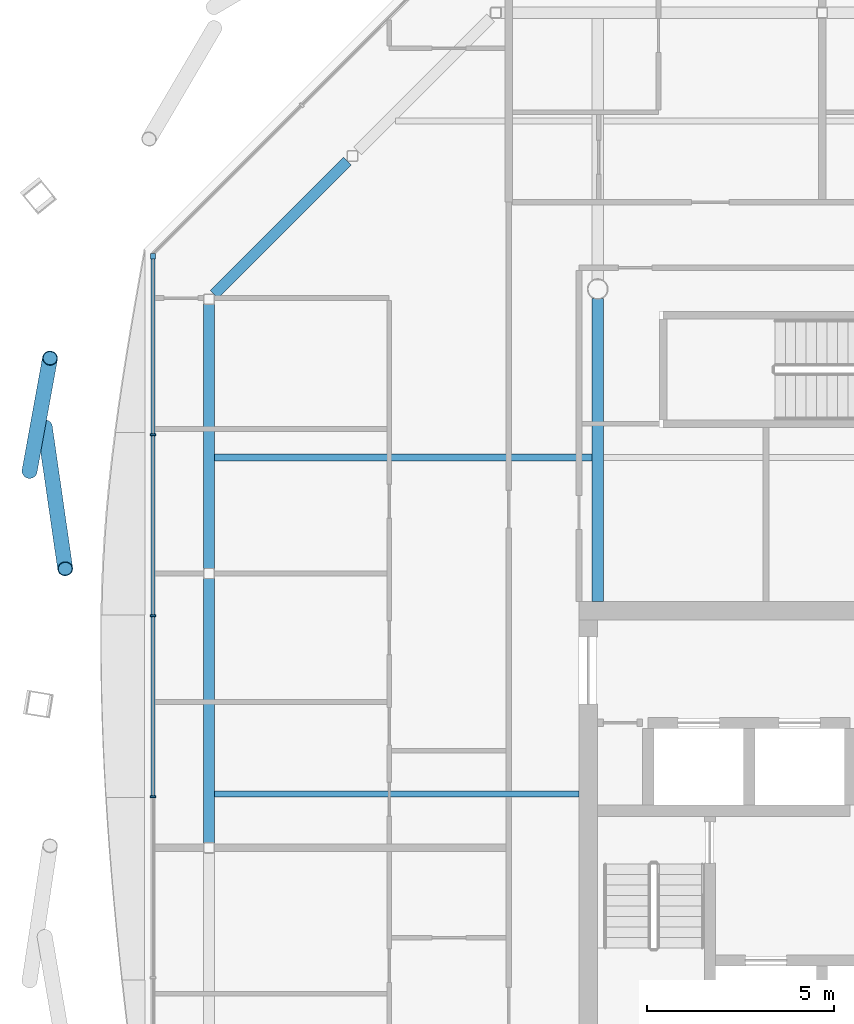
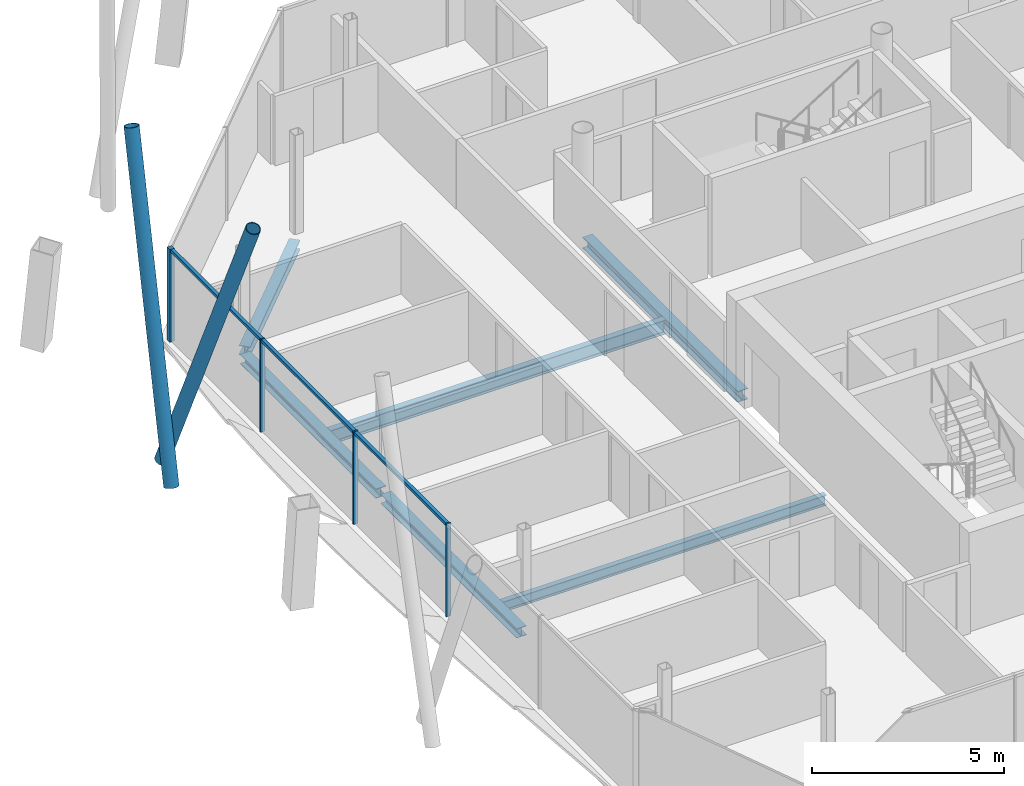
# One storey, part 6 of 17: 9 members, 6 beams, 1 element without a shape of its own.
"""IFC4 building model written with IfcOpenShell, lengths in metres."""

from ifc_helpers import new_model, si_unit, direction, frame, origin, origin_2d, place, context, subcontext, project, spatial, rectangle, hollow_circle, i_section, extrude, material, material_profile, profile_set, type_object, element, aggregate, save


model = new_model("IFC4")

# Units and contexts
model_context = context("Model", 3, precision=1e-05, world=origin(), true_north=direction((0.0, 1.0)))
body_context = subcontext(model_context, "Body", "Model", "MODEL_VIEW")
ifc_project = project(units=[si_unit("LENGTHUNIT", "METRE"), si_unit("AREAUNIT", "SQUARE_METRE"), si_unit("VOLUMEUNIT", "CUBIC_METRE"), si_unit("PLANEANGLEUNIT", "RADIAN"), si_unit("MASSUNIT", "GRAM", prefix="KILO")], contexts=[model_context])

# Site, building, storey
site_placement = place(None, origin())
site = spatial("IfcSite", under=ifc_project, at=site_placement, CompositionType="ELEMENT")
building_placement = place(site_placement, origin())
building = spatial("IfcBuilding", under=site, at=building_placement, Name="Tskaro Facet Tower", CompositionType="ELEMENT")
storey_placement = place(building_placement, frame((0.0, 0.0, 236.10009765625)))
storey = spatial("IfcBuildingStorey", under=building, at=storey_placement, Name="L61", CompositionType="ELEMENT", Elevation=236.10009765625)

# Members
ifc_material_1 = material(Name="Steel S355J2H", Category="steel")
ifc_material_profile_1 = material_profile(ifc_material_1, hollow_circle(Radius=0.203125, WallThickness=0.02001953125, at=origin_2d()), Name="CHS 406.4x20")
ifc_profile_set_1 = profile_set([ifc_material_profile_1], Name="Steel S355J2H")
member_type_1 = type_object("IfcMemberType", Name="CHS 406.4x20 brace", PredefinedType="BRACE", material=ifc_profile_set_1)
member_1_placement = place(storey_placement, frame((-23.785888671875, 5.3115234375, 0.0), z_axis=(0.053751501851, -0.371807159127, 0.926752508748), x_axis=(0.989711015465, 0.143080766934, 0.0)))
element("IfcMember", 1, at=member_1_placement, inside=storey, type_object=member_type_1, Name="CHS 406.4x20 XB10A/5", PredefinedType="BRACE", context=body_context, shape_type="SweptSolid", body=[
    extrude(hollow_circle(Radius=0.203125, WallThickness=0.02001953125, at=origin_2d()), origin(), (0.0, 0.0, 1.0), 10.19677734375),
])
member_2_placement = place(storey_placement, frame((-24.192138671875, 4.131591796875, 0.0), z_axis=(0.055134851788, 0.304150771071, 0.951027053545), x_axis=(-0.983963886004, 0.178367797091, 0.0)))
element("IfcMember", 2, at=member_2_placement, inside=storey, type_object=member_type_1, Name="CHS 406.4x20 XB10B/5", PredefinedType="BRACE", context=body_context, shape_type="SweptSolid", body=[
    extrude(hollow_circle(Radius=0.203125, WallThickness=0.02001953125, at=origin_2d()), origin(), (0.0, 0.0, 1.0), 9.9365234375),
])

# Curtain wall, members
ifc_material_2 = material(Name="Bronze anodised aluminium 6063-T6", Category="aluminium")
curtain_wall_type = type_object("IfcCurtainWallType", Name="Bronze residence curtain wall (FW3)", PredefinedType="NOTDEFINED", material=ifc_material_2)
curtain_wall_placement = place(storey_placement, origin())
curtain_wall = element("IfcCurtainWall", 3, at=curtain_wall_placement, inside=storey, type_object=curtain_wall_type, Name="FW3 west facet L61", PredefinedType="NOTDEFINED")
ifc_material_profile_2 = material_profile(ifc_material_2, rectangle(XDim=0.139892578125, YDim=0.139892578125, at=origin_2d()), Name="Corner post 140x140")
ifc_profile_set_2 = profile_set([ifc_material_profile_2], Name="Bronze anodised aluminium 6063-T6")
member_type_2 = type_object("IfcMemberType", Name="FW3 bronze corner post 140x140", PredefinedType="MULLION", material=ifc_profile_set_2)
member_3_placement = place(storey_placement, frame((-20.888916015625, 9.8779296875, 0.0), z_axis=(0.0, 0.0, 1.0), x_axis=(0.0, -1.0, 0.0)))
member_3 = element("IfcMember", 4, at=member_3_placement, type_object=member_type_2, Name="FW3 west corner post", PredefinedType="MULLION", context=body_context, shape_type="SweptSolid", body=[
    extrude(rectangle(XDim=0.139892578125, YDim=0.139892578125, at=origin_2d()), origin(), (0.0, 0.0, 1.0), 2.949951171875),
])
ifc_material_profile_3 = material_profile(ifc_material_2, rectangle(XDim=0.050048828125, YDim=0.139892578125, at=origin_2d()), Name="Mullion 50x140")
ifc_profile_set_3 = profile_set([ifc_material_profile_3], Name="Bronze anodised aluminium 6063-T6")
member_type_3 = type_object("IfcMemberType", Name="FW3 bronze mullion 50x140", PredefinedType="MULLION", material=ifc_profile_set_3)
member_4_placement = place(storey_placement, frame((-20.888916015625, 5.10791015625, 0.0), z_axis=(0.0, 0.0, 1.0), x_axis=(0.0, -1.0, 0.0)))
member_4 = element("IfcMember", 5, at=member_4_placement, type_object=member_type_3, Name="FW3 west mullion 1", PredefinedType="MULLION", context=body_context, shape_type="SweptSolid", body=[
    extrude(rectangle(XDim=0.050048828125, YDim=0.139892578125, at=origin_2d()), origin(), (0.0, 0.0, 1.0), 2.949951171875),
])
member_5_placement = place(storey_placement, frame((-20.888916015625, 0.267578125, 0.0), z_axis=(0.0, 0.0, 1.0), x_axis=(0.0, -1.0, 0.0)))
member_5 = element("IfcMember", 6, at=member_5_placement, type_object=member_type_3, Name="FW3 west mullion 2", PredefinedType="MULLION", context=body_context, shape_type="SweptSolid", body=[
    extrude(rectangle(XDim=0.050048828125, YDim=0.139892578125, at=origin_2d()), origin(), (0.0, 0.0, 1.0), 2.949951171875),
])
member_6_placement = place(storey_placement, frame((-20.888916015625, -4.572509765625, 0.0), z_axis=(0.0, 0.0, 1.0), x_axis=(0.0, -1.0, 0.0)))
member_6 = element("IfcMember", 7, at=member_6_placement, type_object=member_type_3, Name="FW3 west mullion 3", PredefinedType="MULLION", context=body_context, shape_type="SweptSolid", body=[
    extrude(rectangle(XDim=0.050048828125, YDim=0.139892578125, at=origin_2d()), origin(), (0.0, 0.0, 1.0), 2.949951171875),
])
ifc_material_profile_4 = material_profile(ifc_material_2, rectangle(XDim=0.10009765625, YDim=0.090087890625, at=origin_2d()), Name="Transom 100x90")
ifc_profile_set_4 = profile_set([ifc_material_profile_4], Name="Bronze anodised aluminium 6063-T6")
member_type_4 = type_object("IfcMemberType", Name="FW3 bronze transom 100x90", PredefinedType="USERDEFINED", material=ifc_profile_set_4)
member_7_placement = place(storey_placement, frame((-20.888916015625, 9.80810546875, 2.90478515625), z_axis=(0.0, -1.0, 0.0), x_axis=(1.0, 0.0, 0.0)))
member_7 = element("IfcMember", 8, at=member_7_placement, type_object=member_type_4, Name="FW3 west transom 1.1", ObjectType="TRANSOM", PredefinedType="USERDEFINED", context=body_context, shape_type="SweptSolid", body=[
    extrude(rectangle(XDim=0.10009765625, YDim=0.090087890625, at=origin_2d()), origin(), (0.0, 0.0, 1.0), 4.67529296875),
])
member_8_placement = place(storey_placement, frame((-20.888916015625, 5.082763671875, 2.90478515625), z_axis=(0.0, -1.0, 0.0), x_axis=(1.0, 0.0, 0.0)))
member_8 = element("IfcMember", 9, at=member_8_placement, type_object=member_type_4, Name="FW3 west transom 2.1", ObjectType="TRANSOM", PredefinedType="USERDEFINED", context=body_context, shape_type="SweptSolid", body=[
    extrude(rectangle(XDim=0.10009765625, YDim=0.090087890625, at=origin_2d()), origin(), (0.0, 0.0, 1.0), 4.790283203125),
])
member_9_placement = place(storey_placement, frame((-20.888916015625, 0.24267578125, 2.90478515625), z_axis=(0.0, -1.0, 0.0), x_axis=(1.0, 0.0, 0.0)))
member_9 = element("IfcMember", 10, at=member_9_placement, type_object=member_type_4, Name="FW3 west transom 3.1", ObjectType="TRANSOM", PredefinedType="USERDEFINED", context=body_context, shape_type="SweptSolid", body=[
    extrude(rectangle(XDim=0.10009765625, YDim=0.090087890625, at=origin_2d()), origin(), (0.0, 0.0, 1.0), 4.790283203125),
])
aggregate(curtain_wall, [member_3, member_4, member_5, member_6, member_7, member_8, member_9])

# Beams
ifc_material_3 = material(Name="Steel S355J2", Category="steel")
ifc_material_profile_5 = material_profile(ifc_material_3, i_section(OverallWidth=0.300048828125, OverallDepth=0.300048828125, WebThickness=0.010986328125, FlangeThickness=0.01904296875, FilletRadius=0.027099609375, at=origin_2d()), Name="HE 300 B")
ifc_profile_set_5 = profile_set([ifc_material_profile_5], Name="Steel S355J2")
beam_type_1 = type_object("IfcBeamType", Name="HE 300 B ring beam", PredefinedType="BEAM", material=ifc_profile_set_5)
beam_1_placement = place(storey_placement, frame((-15.69384765625, 12.422119140625, -0.2900390625), z_axis=(-0.707106781187, -0.707106781187, 0.0), x_axis=(0.707106781187, -0.707106781187, 0.0)))
element("IfcBeam", 11, at=beam_1_placement, inside=storey, type_object=beam_type_1, Name="HE 300 B EB13-5", PredefinedType="BEAM", context=body_context, shape_type="SweptSolid", body=[
    extrude(i_section(OverallWidth=0.300048828125, OverallDepth=0.300048828125, WebThickness=0.010986328125, FlangeThickness=0.01904296875, FilletRadius=0.027099609375, at=origin_2d()), origin(), (0.0, 0.0, 1.0), 5.036376953125),
])
beam_2_placement = place(storey_placement, frame((-19.39111328125, 8.594970703125, -0.2900390625), z_axis=(0.0, -1.0, 0.0), x_axis=(1.0, 0.0, 0.0)))
element("IfcBeam", 12, at=beam_2_placement, inside=storey, type_object=beam_type_1, Name="HE 300 B EB14-5", PredefinedType="BEAM", context=body_context, shape_type="SweptSolid", body=[
    extrude(i_section(OverallWidth=0.300048828125, OverallDepth=0.300048828125, WebThickness=0.010986328125, FlangeThickness=0.01904296875, FilletRadius=0.027099609375, at=origin_2d()), origin(), (0.0, 0.0, 1.0), 7.071044921875),
])
beam_3_placement = place(storey_placement, frame((-19.39111328125, 1.263916015625, -0.2900390625), z_axis=(0.0, -1.0, 0.0), x_axis=(1.0, 0.0, 0.0)))
element("IfcBeam", 13, at=beam_3_placement, inside=storey, type_object=beam_type_1, Name="HE 300 B EB15-5", PredefinedType="BEAM", context=body_context, shape_type="SweptSolid", body=[
    extrude(i_section(OverallWidth=0.300048828125, OverallDepth=0.300048828125, WebThickness=0.010986328125, FlangeThickness=0.01904296875, FilletRadius=0.027099609375, at=origin_2d()), origin(), (0.0, 0.0, 1.0), 7.07080078125),
])
ifc_material_profile_6 = material_profile(ifc_material_3, i_section(OverallWidth=0.300048828125, OverallDepth=0.35009765625, WebThickness=0.010009765625, FlangeThickness=0.017578125, FilletRadius=0.027099609375, at=origin_2d()), Name="HE 360 A")
ifc_profile_set_6 = profile_set([ifc_material_profile_6], Name="Steel S355J2")
beam_type_2 = type_object("IfcBeamType", Name="HE 360 A girder", PredefinedType="BEAM", material=ifc_profile_set_6)
beam_4_placement = place(storey_placement, frame((-9.0, 0.64990234375, -0.315185546875), z_axis=(0.0, 1.0, 0.0), x_axis=(-1.0, 0.0, 0.0)))
element("IfcBeam", 14, at=beam_4_placement, inside=storey, type_object=beam_type_2, Name="HE 360 A GB3-2-5", PredefinedType="BEAM", context=body_context, shape_type="SweptSolid", body=[
    extrude(i_section(OverallWidth=0.300048828125, OverallDepth=0.35009765625, WebThickness=0.010009765625, FlangeThickness=0.017578125, FilletRadius=0.027099609375, at=origin_2d()), origin(), (0.0, 0.0, 1.0), 8.1005859375),
])
ifc_material_profile_7 = material_profile(ifc_material_3, i_section(OverallWidth=0.159912109375, OverallDepth=0.330078125, WebThickness=0.007568359375, FlangeThickness=0.011474609375, FilletRadius=0.01806640625, at=origin_2d()), Name="IPE 330")
ifc_profile_set_7 = profile_set([ifc_material_profile_7], Name="Steel S355J2")
beam_type_3 = type_object("IfcBeamType", Name="IPE 330 secondary beam", PredefinedType="BEAM", material=ifc_profile_set_7)
beam_5_placement = place(storey_placement, frame((-19.240966796875, -4.5, -0.30517578125), z_axis=(1.0, 0.0, 0.0), x_axis=(0.0, 1.0, 0.0)))
element("IfcBeam", 15, at=beam_5_placement, inside=storey, type_object=beam_type_3, Name="IPE 330 SB3a-1-5", PredefinedType="BEAM", context=body_context, shape_type="SweptSolid", body=[
    extrude(i_section(OverallWidth=0.159912109375, OverallDepth=0.330078125, WebThickness=0.007568359375, FlangeThickness=0.011474609375, FilletRadius=0.01806640625, at=origin_2d()), origin(), (0.0, 0.0, 1.0), 9.740966796875),
])
ifc_material_profile_8 = material_profile(ifc_material_3, i_section(OverallWidth=0.18994140625, OverallDepth=0.449951171875, WebThickness=0.009521484375, FlangeThickness=0.0146484375, FilletRadius=0.02099609375, at=origin_2d()), Name="IPE 450")
ifc_profile_set_8 = profile_set([ifc_material_profile_8], Name="Steel S355J2")
beam_type_4 = type_object("IfcBeamType", Name="IPE 450 long secondary beam", PredefinedType="BEAM", material=ifc_profile_set_8)
beam_6_placement = place(storey_placement, frame((-19.240966796875, 4.5, -0.364990234375), z_axis=(1.0, 0.0, 0.0), x_axis=(0.0, 1.0, 0.0)))
element("IfcBeam", 16, at=beam_6_placement, inside=storey, type_object=beam_type_4, Name="IPE 450 LSB4a-1-5", PredefinedType="BEAM", context=body_context, shape_type="SweptSolid", body=[
    extrude(i_section(OverallWidth=0.18994140625, OverallDepth=0.449951171875, WebThickness=0.009521484375, FlangeThickness=0.0146484375, FilletRadius=0.02099609375, at=origin_2d()), origin(), (0.0, 0.0, 1.0), 10.091064453125),
])

save(model, "model.ifc")
